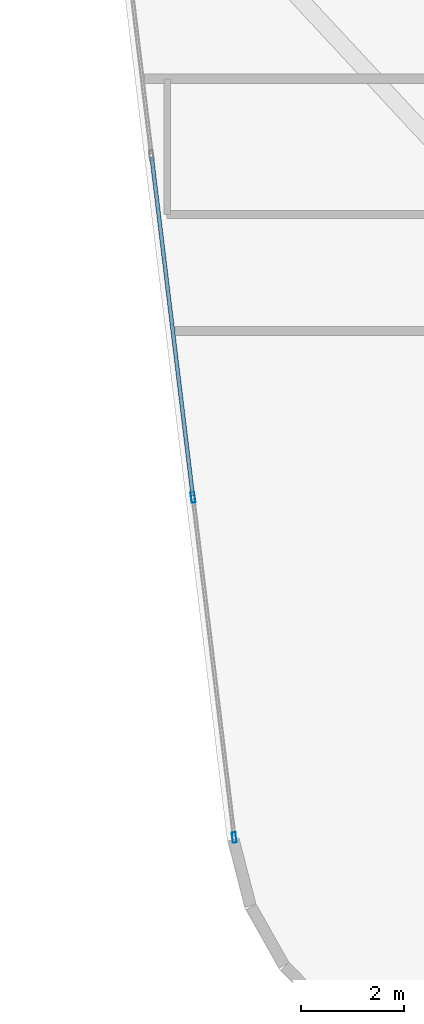
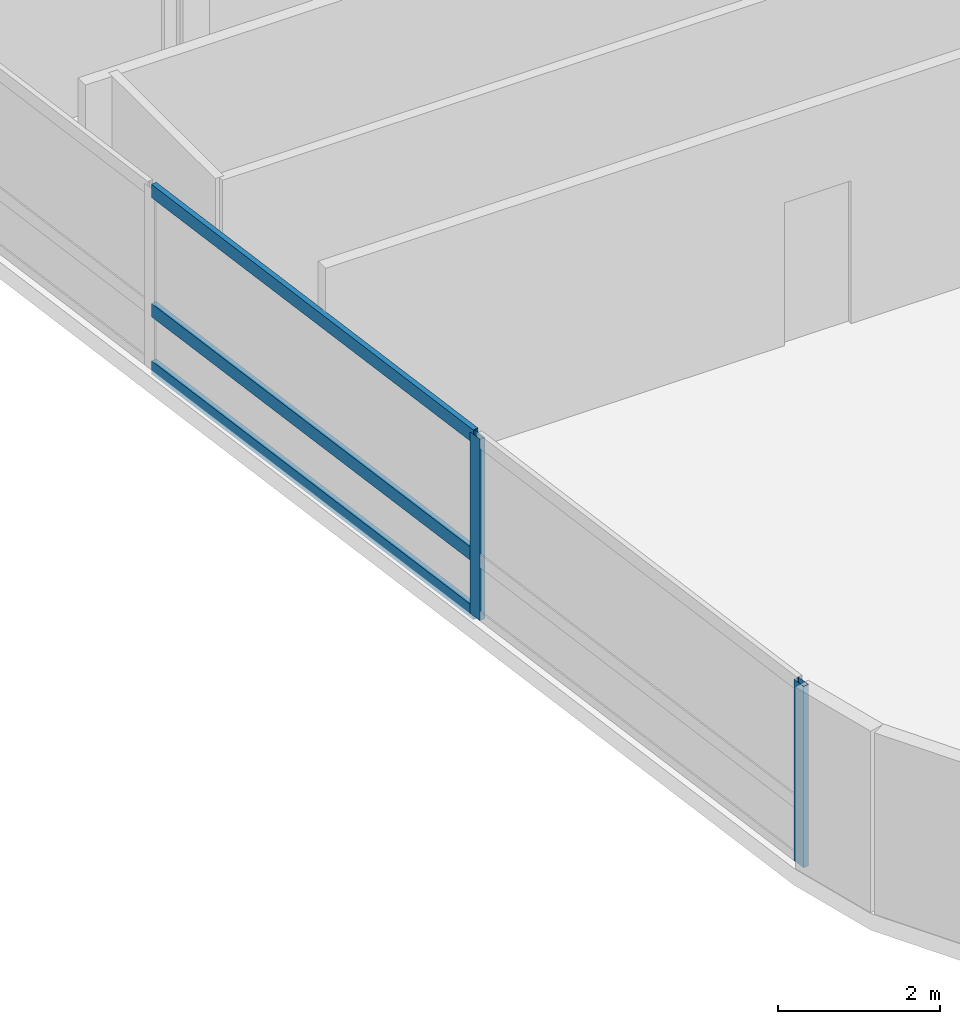
# One storey, part 2 of 23: 5 members, 1 element without a shape of its own.
"""IFC4 building model written with IfcOpenShell, lengths in metres."""

from ifc_helpers import new_model, si_unit, direction, frame, origin, origin_2d, place, context, subcontext, project, spatial, hollow_rectangle, extrude, material, layer, layer_set, material_profile, profile_set, type_object, element, aggregate, save


model = new_model("IFC4")

# Units and contexts
model_context = context("Model", 3, precision=1e-05, world=origin(), true_north=direction((0.0, 1.0)))
body_context = subcontext(model_context, "Body", "Model", "MODEL_VIEW")
ifc_project = project(units=[si_unit("LENGTHUNIT", "METRE"), si_unit("AREAUNIT", "SQUARE_METRE"), si_unit("VOLUMEUNIT", "CUBIC_METRE"), si_unit("PLANEANGLEUNIT", "RADIAN"), si_unit("MASSUNIT", "GRAM", prefix="KILO")], contexts=[model_context])

# Site, building, storey
site_placement = place(None, origin())
site = spatial("IfcSite", under=ifc_project, at=site_placement, CompositionType="ELEMENT")
building_placement = place(site_placement, origin())
building = spatial("IfcBuilding", under=site, at=building_placement, Name="Varnelok Gate Tower", CompositionType="ELEMENT")
storey_placement = place(building_placement, frame((0.0, 0.0, 200.5)))
storey = spatial("IfcBuildingStorey", under=building, at=storey_placement, Name="L51", CompositionType="ELEMENT", Elevation=200.5)

# Curtain wall, members
ifc_material = material(Name="Anodized Aluminum Alloy 6063-T6", Category="aluminium")
ifc_layer = layer(ifc_material, 0.179931640625)
ifc_layer_set = layer_set([ifc_layer], Name="Anodized Aluminum Alloy 6063-T6")
curtain_wall_type = type_object("IfcCurtainWallType", Name="CW4-RESIDENCE-VISION", PredefinedType="USERDEFINED", material=ifc_layer_set)
curtain_wall_placement = place(storey_placement, origin())
curtain_wall = element("IfcCurtainWall", 1, at=curtain_wall_placement, inside=storey, type_object=curtain_wall_type, Name="L51 West End Vision Curtain Wall", ObjectType="UNITISED CURTAIN WALL", PredefinedType="USERDEFINED")
ifc_material_profile_1 = material_profile(ifc_material, hollow_rectangle(XDim=0.074951171875, YDim=0.199951171875, WallThickness=0.00390625, at=origin_2d()), Name="ALU200X75X4")
ifc_profile_set_1 = profile_set([ifc_material_profile_1], Name="Anodized Aluminum Alloy 6063-T6")
member_type_1 = type_object("IfcMemberType", Name="CW-MULL-200", PredefinedType="MULLION", material=ifc_profile_set_1)
member_1_placement = place(storey_placement, frame((6.30078125, 4.52734375, 0.0), z_axis=(0.0, 0.0, 1.0), x_axis=(-0.992732188751, -0.120344511371, 0.0)))
member_1 = element("IfcMember", 2, at=member_1_placement, type_object=member_type_1, Name="CW4 mullion 1", PredefinedType="MULLION", context=body_context, shape_type="SweptSolid", body=[
    extrude(hollow_rectangle(XDim=0.074951171875, YDim=0.199951171875, WallThickness=0.00390625, at=origin_2d()), origin(), (0.0, 0.0, 1.0), 2.72998046875),
])
member_2_placement = place(storey_placement, frame((5.50146484375, 11.12158203125, 0.0), z_axis=(0.0, 0.0, 1.0), x_axis=(-0.992732188751, -0.120344511371, 0.0)))
member_2 = element("IfcMember", 3, at=member_2_placement, type_object=member_type_1, Name="CW4 mullion 2", PredefinedType="MULLION", context=body_context, shape_type="SweptSolid", body=[
    extrude(hollow_rectangle(XDim=0.074951171875, YDim=0.199951171875, WallThickness=0.00390625, at=origin_2d()), origin(), (0.0, 0.0, 1.0), 2.72998046875),
])
ifc_material_profile_2 = material_profile(ifc_material, hollow_rectangle(XDim=0.074951171875, YDim=0.199951171875, WallThickness=0.00390625, at=origin_2d()), Name="ALU200X75X4")
ifc_profile_set_2 = profile_set([ifc_material_profile_2], Name="Anodized Aluminum Alloy 6063-T6")
member_type_2 = type_object("IfcMemberType", Name="CW-TRAN-200", PredefinedType="USERDEFINED", material=ifc_profile_set_2)
member_3_placement = place(storey_placement, frame((5.496826171875, 11.15869140625, 0.03759765625), z_axis=(-0.120349029092, 0.992731641078, 0.0), x_axis=(-0.992731641078, -0.120349029092, 0.0)))
member_3 = element("IfcMember", 4, at=member_3_placement, type_object=member_type_2, Name="CW4 transom 2.1", ObjectType="TRANSOM", PredefinedType="USERDEFINED", context=body_context, shape_type="SweptSolid", body=[
    extrude(hollow_rectangle(XDim=0.074951171875, YDim=0.199951171875, WallThickness=0.00390625, at=origin_2d()), origin(), (0.0, 0.0, 1.0), 6.605224609375),
])
member_4_placement = place(storey_placement, frame((5.496826171875, 11.15869140625, 0.89990234375), z_axis=(-0.120349029092, 0.992731641078, 0.0), x_axis=(-0.992731641078, -0.120349029092, 0.0)))
member_4 = element("IfcMember", 5, at=member_4_placement, type_object=member_type_2, Name="CW4 transom 2.2", ObjectType="TRANSOM", PredefinedType="USERDEFINED", context=body_context, shape_type="SweptSolid", body=[
    extrude(hollow_rectangle(XDim=0.074951171875, YDim=0.199951171875, WallThickness=0.00390625, at=origin_2d()), origin(), (0.0, 0.0, 1.0), 6.605224609375),
])
member_5_placement = place(storey_placement, frame((5.496826171875, 11.15869140625, 2.6923828125), z_axis=(-0.120349029092, 0.992731641078, 0.0), x_axis=(-0.992731641078, -0.120349029092, 0.0)))
member_5 = element("IfcMember", 6, at=member_5_placement, type_object=member_type_2, Name="CW4 transom 2.3", ObjectType="TRANSOM", PredefinedType="USERDEFINED", context=body_context, shape_type="SweptSolid", body=[
    extrude(hollow_rectangle(XDim=0.074951171875, YDim=0.199951171875, WallThickness=0.00390625, at=origin_2d()), origin(), (0.0, 0.0, 1.0), 6.605224609375),
])
aggregate(curtain_wall, [member_1, member_2, member_3, member_4, member_5])

save(model, "model.ifc")
